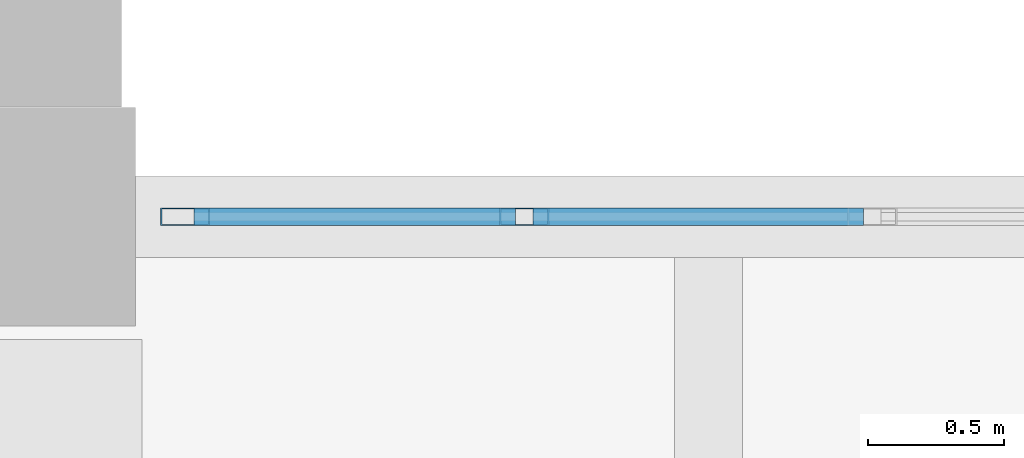
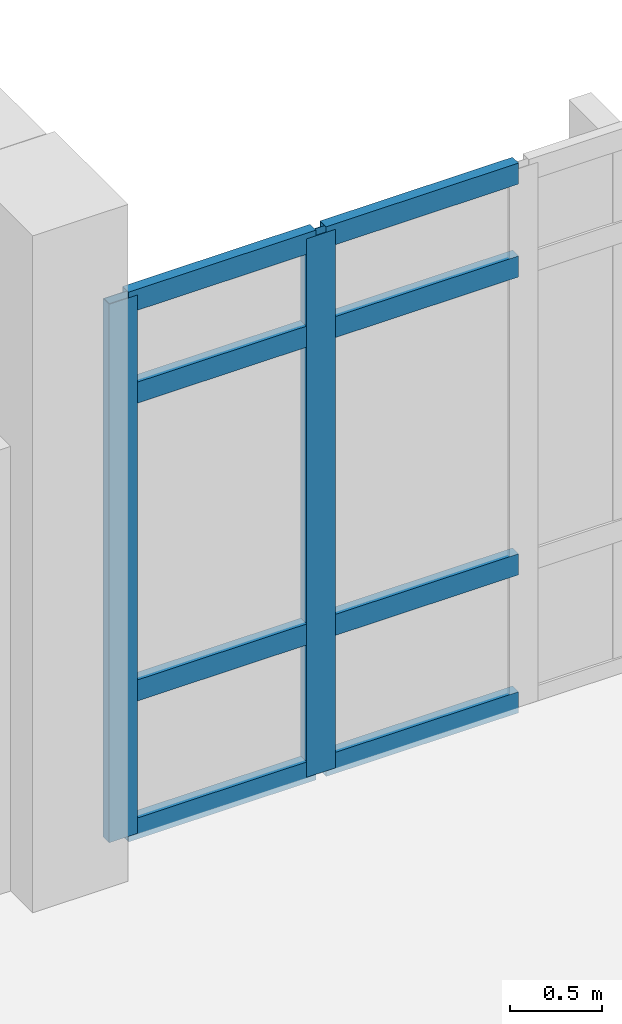
# One storey, part 44 of 87: 10 members, 1 element without a shape of its own.
"""IFC4 building model written with IfcOpenShell, lengths in metres."""

import ifcopenshell
import ifcopenshell.guid

model = None  # the IFC model being written
_history = None  # IfcOwnerHistory: only IFC2X3 demands one
_inside = {}  # id of a spatial element -> (the spatial element, [elements in it])
_under = {}  # id of a project, library or spatial element -> (it, [spatial elements below it])
_declared = {}  # id of a project -> (the project, [libraries it declares])
_typed = {}  # id of a type object -> (the type object, [elements of that type])
_made_of = {}  # id of a material, layer set ... -> (it, [elements and type objects made of it])


def new_model(schema):
    """Start an empty IFC model of exactly this schema.

    Asked for "IFC4X3", IfcOpenShell would pick the latest addendum, in which some entities
    have other attributes; the version numbers below select the first issue.
    IFC2X3 requires an IfcOwnerHistory on every rooted entity: one is made here for all.
    """
    global model, _history
    if schema == "IFC4X3":
        model = ifcopenshell.file(schema_version=(4, 3, 0, 0))
    else:
        model = ifcopenshell.file(schema=schema)
    _inside.clear()
    _under.clear()
    _declared.clear()
    _typed.clear()
    _made_of.clear()
    _history = None
    if model.schema == "IFC2X3":
        org = make("IfcOrganization", Name="unknown")
        user = make(
            "IfcPersonAndOrganization",
            ThePerson=make("IfcPerson", FamilyName="unknown"),
            TheOrganization=org,
        )
        app = make(
            "IfcApplication",
            ApplicationDeveloper=org,
            Version="unknown",
            ApplicationFullName="unknown",
            ApplicationIdentifier="unknown",
        )
        _history = make(
            "IfcOwnerHistory",
            OwningUser=user,
            OwningApplication=app,
            ChangeAction="ADDED",
            CreationDate=0,
        )
    return model


def make(cls, **values):
    """One entity of the class cls with the attributes given. An attribute that is None is left unset."""
    return model.create_entity(
        cls, **{name: value for name, value in values.items() if value is not None}
    )


def rooted(cls, **values):
    """An entity with a GlobalId (a new one), such as an element, a storey or a relation."""
    return make(cls, GlobalId=ifcopenshell.guid.new(), OwnerHistory=_history, **values)


def si_unit(unit_type, name, prefix=None):
    """IfcSIUnit, for example si_unit("LENGTHUNIT", "METRE", prefix="MILLI")."""
    return make("IfcSIUnit", UnitType=unit_type, Prefix=prefix, Name=name)


def assignment(units):
    """IfcUnitAssignment: the units of a project."""
    return None if units is None else make("IfcUnitAssignment", Units=units)


def point(xyz):
    """IfcCartesianPoint."""
    return None if xyz is None else make("IfcCartesianPoint", Coordinates=xyz)


def direction(xyz):
    """IfcDirection."""
    return None if xyz is None else make("IfcDirection", DirectionRatios=xyz)


def frame(location, z_axis=None, x_axis=None):
    """IfcAxis2Placement3D, a coordinate frame: its origin and axes. An axis left out is left unset."""
    return make(
        "IfcAxis2Placement3D",
        Location=point(location),
        Axis=direction(z_axis),
        RefDirection=direction(x_axis),
    )


def frame_2d(location, x_axis=None):
    """IfcAxis2Placement2D, a coordinate frame in the plane: its origin and x axis."""
    return make(
        "IfcAxis2Placement2D", Location=point(location), RefDirection=direction(x_axis)
    )


def origin():
    """The frame at (0, 0, 0) with its axes left unset."""
    return frame((0.0, 0.0, 0.0))


def origin_2d():
    """The frame at (0, 0) in the plane with its x axis left unset."""
    return frame_2d((0.0, 0.0))


def place(relative_to, where):
    """IfcLocalPlacement: puts the frame where relative to a parent placement (None: the world)."""
    return make(
        "IfcLocalPlacement", PlacementRelTo=relative_to, RelativePlacement=where
    )


def context(
    kind, dimensions, precision=None, world=None, true_north=None, identifier=None
):
    """IfcGeometricRepresentationContext, for example the 3D "Model" context."""
    return make(
        "IfcGeometricRepresentationContext",
        ContextIdentifier=identifier,
        ContextType=kind,
        CoordinateSpaceDimension=dimensions,
        Precision=precision,
        WorldCoordinateSystem=world,
        TrueNorth=true_north,
    )


def subcontext(parent, identifier, kind, view, scale=None):
    """IfcGeometricRepresentationSubContext, for example "Body" below "Model"."""
    return make(
        "IfcGeometricRepresentationSubContext",
        ContextIdentifier=identifier,
        ContextType=kind,
        ParentContext=parent,
        TargetScale=scale,
        TargetView=view,
    )


def project(units=None, contexts=None):
    """IfcProject with its units and contexts."""
    return rooted(
        "IfcProject",
        Name="project",
        RepresentationContexts=contexts,
        UnitsInContext=assignment(units),
    )


def spatial(cls, under=None, at=None, **own):
    """A site, building, storey or space (cls), placed at a placement, below another one or the project."""
    s = rooted(cls, ObjectPlacement=at, **own)
    if under is not None:
        _under.setdefault(under.id(), (under, []))[1].append(s)
    return s


def profile(cls, at=None, kind="AREA", **sizes):
    """A parametric profile (cls). Its sizes go by their IFC names, for example OverallWidth=200.0."""
    return make(cls, ProfileType=kind, Position=at, **sizes)


def hollow_rectangle(**sizes):
    """IfcRectangleHollowProfileDef."""
    return profile("IfcRectangleHollowProfileDef", **sizes)


def extrude(swept, where, along, depth):
    """IfcExtrudedAreaSolid: the profile swept, set in the frame where, extruded along a direction by depth."""
    return make(
        "IfcExtrudedAreaSolid",
        SweptArea=swept,
        Position=where,
        ExtrudedDirection=direction(along),
        Depth=depth,
    )


def shape(context_of_items, identifier, shape_type, items):
    """IfcShapeRepresentation: the items that make up one representation, for example the "Body"."""
    return make(
        "IfcShapeRepresentation",
        ContextOfItems=context_of_items,
        RepresentationIdentifier=identifier,
        RepresentationType=shape_type,
        Items=items,
    )


def material(Name=None, Category=None):
    """IfcMaterial."""
    return make("IfcMaterial", Name=Name, Category=Category)


def material_profile(
    of_material, cross_section, Name=None, Category=None, Priority=None
):
    """IfcMaterialProfile: a cross section and its material."""
    return make(
        "IfcMaterialProfile",
        Name=Name,
        Material=of_material,
        Profile=cross_section,
        Priority=Priority,
        Category=Category,
    )


def profile_set(profiles, Name=None, composite=None):
    """IfcMaterialProfileSet."""
    return make(
        "IfcMaterialProfileSet",
        Name=Name,
        MaterialProfiles=profiles,
        CompositeProfile=composite,
    )


def made_of(thing, what):
    """Note that an element or type object is made of a material, layer set ...; save() writes the relation."""
    if what is not None:
        _made_of.setdefault(what.id(), (what, []))[1].append(thing)
    return thing


def type_object(cls, material=None, **own):
    """A type object (cls), such as IfcWallType, which elements share."""
    return made_of(rooted(cls, **own), material)


def element(
    cls,
    number,
    at=None,
    inside=None,
    cuts=None,
    type_object=None,
    material=None,
    context=None,
    identifier="Body",
    shape_type=None,
    held_by="IfcProductDefinitionShape",
    body=None,
    shapes=None,
    **own,
):
    """One element of the class cls, such as IfcWall. Its Tag is "e" and its number.

    at: its placement. inside: the storey or other place that contains it. cuts: it is an
    opening in that element (IfcRelVoidsElement). A single representation is given by context,
    identifier, shape_type and body (its items); several are given by shapes. held_by: the class
    of the entity that holds the representations. save() writes the other relations.
    """
    e = rooted(cls, Tag="e%d" % number, ObjectPlacement=at, **own)
    if body is not None:
        shapes = [shape(context, identifier, shape_type, body)]
    if shapes is not None:
        e.Representation = make(held_by, Representations=shapes)
    if inside is not None:
        _inside.setdefault(inside.id(), (inside, []))[1].append(e)
    if cuts is not None:
        rooted(
            "IfcRelVoidsElement", RelatingBuildingElement=cuts, RelatedOpeningElement=e
        )
    if type_object is not None:
        _typed.setdefault(type_object.id(), (type_object, []))[1].append(e)
    return made_of(e, material)


def aggregate(whole, parts):
    """IfcRelAggregates: a whole, such as a stair, and the parts it consists of."""
    return rooted("IfcRelAggregates", RelatingObject=whole, RelatedObjects=parts)


def save(model, path):
    """Write the relations noted so far, then the file.

    IfcRelAggregates (storeys below a building ...), IfcRelContainedInSpatialStructure (elements
    in a storey), IfcRelDefinesByType, IfcRelAssociatesMaterial and IfcRelDeclares: one each for
    every whole, place, type object, material and project.
    """
    for whole, parts in _under.values():
        aggregate(whole, parts)
    for where, things in _inside.values():
        rooted(
            "IfcRelContainedInSpatialStructure",
            RelatedElements=things,
            RelatingStructure=where,
        )
    for kind, things in _typed.values():
        rooted("IfcRelDefinesByType", RelatedObjects=things, RelatingType=kind)
    for what, things in _made_of.values():
        rooted("IfcRelAssociatesMaterial", RelatedObjects=things, RelatingMaterial=what)
    for by, libraries in _declared.values():
        rooted("IfcRelDeclares", RelatingContext=by, RelatedDefinitions=libraries)
    model.write(path)


model = new_model("IFC4")

# Units and contexts
model_context = context("Model", 3, precision=1e-05, world=origin(), true_north=direction((0.0, 1.0)))
body_context = subcontext(model_context, "Body", "Model", "MODEL_VIEW")
ifc_project = project(units=[si_unit("LENGTHUNIT", "METRE"), si_unit("AREAUNIT", "SQUARE_METRE"), si_unit("VOLUMEUNIT", "CUBIC_METRE"), si_unit("PLANEANGLEUNIT", "RADIAN"), si_unit("MASSUNIT", "GRAM", prefix="KILO")], contexts=[model_context])

# Site, building, storey
site_placement = place(None, origin())
site = spatial("IfcSite", under=ifc_project, at=site_placement, CompositionType="ELEMENT")
building_placement = place(site_placement, origin())
building = spatial("IfcBuilding", under=site, at=building_placement, Name="Kalluvel Institute of Natural Sciences", CompositionType="ELEMENT")
storey_placement = place(building_placement, frame((0.0, 0.0, 18.89990234375)))
storey = spatial("IfcBuildingStorey", under=building, at=storey_placement, Name="L04", CompositionType="ELEMENT", Elevation=18.89990234375)

# Curtain wall, members
ifc_material = material(Name="Aluminium AW-6063 T6", Category="aluminium")
curtain_wall_type = type_object("IfcCurtainWallType", Name="CW-WET-45", PredefinedType="USERDEFINED", material=ifc_material)
curtain_wall_placement = place(storey_placement, origin())
curtain_wall = element("IfcCurtainWall", 1, at=curtain_wall_placement, inside=storey, type_object=curtain_wall_type, Name="L04 Gothic lancet curtain wall CWA-L04-X432-Y1280", ObjectType="UNITISED LANCET FACADE", PredefinedType="USERDEFINED")
ifc_material_profile_1 = material_profile(ifc_material, hollow_rectangle(XDim=0.06494140625, YDim=0.179931640625, WallThickness=0.00439453125, at=origin_2d()), Name="CWM 65x180")
ifc_profile_set_1 = profile_set([ifc_material_profile_1], Name="Aluminium AW-6063 T6")
member_type_1 = type_object("IfcMemberType", Name="CWM-65x180", PredefinedType="MULLION", material=ifc_profile_set_1)
member_1_placement = place(storey_placement, frame((43.282470703125, 128.0, 0.0), z_axis=(0.0, 0.0, 1.0), x_axis=(0.0, 1.0, 0.0)))
member_1 = element("IfcMember", 2, at=member_1_placement, type_object=member_type_1, Name="CW-01 mullion 1", PredefinedType="MULLION", context=body_context, shape_type="SweptSolid", body=[
    extrude(hollow_rectangle(XDim=0.06494140625, YDim=0.179931640625, WallThickness=0.00439453125, at=origin_2d()), origin(), (0.0, 0.0, 1.0), 3.580078125),
])
member_2_placement = place(storey_placement, frame((44.52490234375, 128.0, 0.0), z_axis=(0.0, 0.0, 1.0), x_axis=(0.0, 1.0, 0.0)))
member_2 = element("IfcMember", 3, at=member_2_placement, type_object=member_type_1, Name="CW-01 mullion 2", PredefinedType="MULLION", context=body_context, shape_type="SweptSolid", body=[
    extrude(hollow_rectangle(XDim=0.06494140625, YDim=0.179931640625, WallThickness=0.00439453125, at=origin_2d()), origin(), (0.0, 0.0, 1.0), 3.580078125),
])
ifc_material_profile_2 = material_profile(ifc_material, hollow_rectangle(XDim=0.06494140625, YDim=0.139892578125, WallThickness=0.00439453125, at=origin_2d()), Name="CWT 65x140")
ifc_profile_set_2 = profile_set([ifc_material_profile_2], Name="Aluminium AW-6063 T6")
member_type_2 = type_object("IfcMemberType", Name="CWT-65x140", PredefinedType="USERDEFINED", material=ifc_profile_set_2)
member_3_placement = place(storey_placement, frame((43.31494140625, 128.0, 0.03271484375), z_axis=(1.0, 0.0, 0.0), x_axis=(0.0, 1.0, 0.0)))
member_3 = element("IfcMember", 4, at=member_3_placement, type_object=member_type_2, Name="CW-01 transom 1.1", ObjectType="TRANSOM", PredefinedType="USERDEFINED", context=body_context, shape_type="SweptSolid", body=[
    extrude(hollow_rectangle(XDim=0.06494140625, YDim=0.139892578125, WallThickness=0.00439453125, at=origin_2d()), origin(), (0.0, 0.0, 1.0), 1.177490234375),
])
member_4_placement = place(storey_placement, frame((43.31494140625, 128.0, 0.9501953125), z_axis=(1.0, 0.0, 0.0), x_axis=(0.0, 1.0, 0.0)))
member_4 = element("IfcMember", 5, at=member_4_placement, type_object=member_type_2, Name="CW-01 transom 1.2", ObjectType="TRANSOM", PredefinedType="USERDEFINED", context=body_context, shape_type="SweptSolid", body=[
    extrude(hollow_rectangle(XDim=0.06494140625, YDim=0.139892578125, WallThickness=0.00439453125, at=origin_2d()), origin(), (0.0, 0.0, 1.0), 1.177490234375),
])
member_5_placement = place(storey_placement, frame((43.31494140625, 128.0, 2.93017578125), z_axis=(1.0, 0.0, 0.0), x_axis=(0.0, 1.0, 0.0)))
member_5 = element("IfcMember", 6, at=member_5_placement, type_object=member_type_2, Name="CW-01 transom 1.3", ObjectType="TRANSOM", PredefinedType="USERDEFINED", context=body_context, shape_type="SweptSolid", body=[
    extrude(hollow_rectangle(XDim=0.06494140625, YDim=0.139892578125, WallThickness=0.00439453125, at=origin_2d()), origin(), (0.0, 0.0, 1.0), 1.177490234375),
])
member_6_placement = place(storey_placement, frame((43.31494140625, 128.0, 3.547607421875), z_axis=(1.0, 0.0, 0.0), x_axis=(0.0, 1.0, 0.0)))
member_6 = element("IfcMember", 7, at=member_6_placement, type_object=member_type_2, Name="CW-01 transom 1.4", ObjectType="TRANSOM", PredefinedType="USERDEFINED", context=body_context, shape_type="SweptSolid", body=[
    extrude(hollow_rectangle(XDim=0.06494140625, YDim=0.139892578125, WallThickness=0.00439453125, at=origin_2d()), origin(), (0.0, 0.0, 1.0), 1.177490234375),
])
member_7_placement = place(storey_placement, frame((44.5576171875, 128.0, 0.03271484375), z_axis=(1.0, 0.0, 0.0), x_axis=(0.0, 1.0, 0.0)))
member_7 = element("IfcMember", 8, at=member_7_placement, type_object=member_type_2, Name="CW-01 transom 2.1", ObjectType="TRANSOM", PredefinedType="USERDEFINED", context=body_context, shape_type="SweptSolid", body=[
    extrude(hollow_rectangle(XDim=0.06494140625, YDim=0.139892578125, WallThickness=0.00439453125, at=origin_2d()), origin(), (0.0, 0.0, 1.0), 1.2099609375),
])
member_8_placement = place(storey_placement, frame((44.5576171875, 128.0, 0.9501953125), z_axis=(1.0, 0.0, 0.0), x_axis=(0.0, 1.0, 0.0)))
member_8 = element("IfcMember", 9, at=member_8_placement, type_object=member_type_2, Name="CW-01 transom 2.2", ObjectType="TRANSOM", PredefinedType="USERDEFINED", context=body_context, shape_type="SweptSolid", body=[
    extrude(hollow_rectangle(XDim=0.06494140625, YDim=0.139892578125, WallThickness=0.00439453125, at=origin_2d()), origin(), (0.0, 0.0, 1.0), 1.2099609375),
])
member_9_placement = place(storey_placement, frame((44.5576171875, 128.0, 2.93017578125), z_axis=(1.0, 0.0, 0.0), x_axis=(0.0, 1.0, 0.0)))
member_9 = element("IfcMember", 10, at=member_9_placement, type_object=member_type_2, Name="CW-01 transom 2.3", ObjectType="TRANSOM", PredefinedType="USERDEFINED", context=body_context, shape_type="SweptSolid", body=[
    extrude(hollow_rectangle(XDim=0.06494140625, YDim=0.139892578125, WallThickness=0.00439453125, at=origin_2d()), origin(), (0.0, 0.0, 1.0), 1.2099609375),
])
member_10_placement = place(storey_placement, frame((44.5576171875, 128.0, 3.547607421875), z_axis=(1.0, 0.0, 0.0), x_axis=(0.0, 1.0, 0.0)))
member_10 = element("IfcMember", 11, at=member_10_placement, type_object=member_type_2, Name="CW-01 transom 2.4", ObjectType="TRANSOM", PredefinedType="USERDEFINED", context=body_context, shape_type="SweptSolid", body=[
    extrude(hollow_rectangle(XDim=0.06494140625, YDim=0.139892578125, WallThickness=0.00439453125, at=origin_2d()), origin(), (0.0, 0.0, 1.0), 1.2099609375),
])
aggregate(curtain_wall, [member_1, member_2, member_3, member_4, member_5, member_6, member_7, member_8, member_9, member_10])

save(model, "model.ifc")
